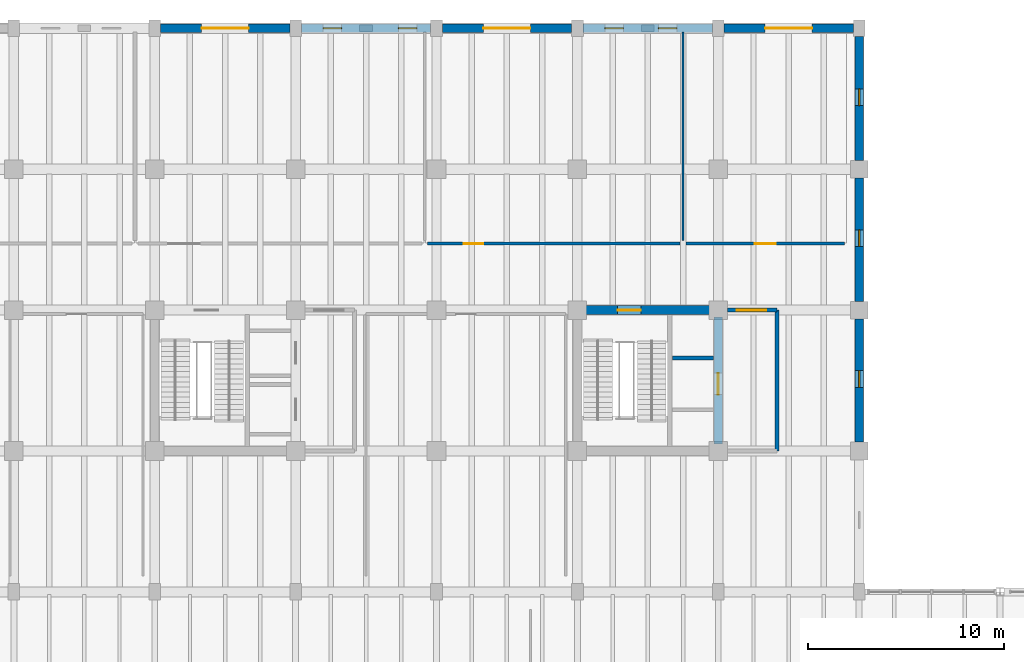
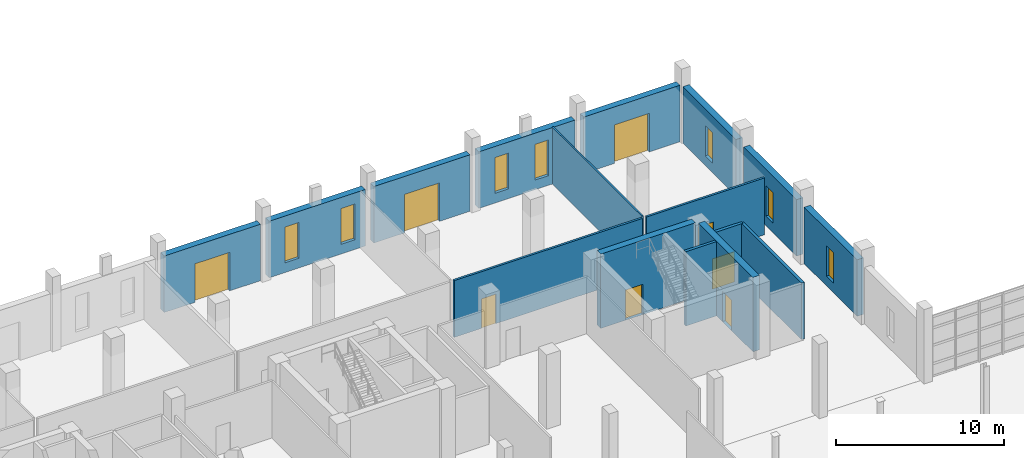
# One storey, part 69 of 79: 16 walls, 8 doors, 7 windows, 15 openings.
"""IFC4 building model written with IfcOpenShell, lengths in metres."""

from ifc_helpers import new_model, si_unit, direction, frame, frame_2d, origin, place, context, subcontext, project, spatial, rectangle, extrude, material, layer, layer_set, type_object, element, fill, save


model = new_model("IFC4")

# Units and contexts
model_context = context("Model", 3, precision=1e-05, world=origin(), true_north=direction((0.0, 1.0)))
body_context = subcontext(model_context, "Body", "Model", "MODEL_VIEW")
ifc_project = project(units=[si_unit("LENGTHUNIT", "METRE"), si_unit("AREAUNIT", "SQUARE_METRE"), si_unit("VOLUMEUNIT", "CUBIC_METRE"), si_unit("PLANEANGLEUNIT", "RADIAN"), si_unit("MASSUNIT", "GRAM", prefix="KILO")], contexts=[model_context])

# Site, building, storey
site_placement = place(None, origin())
site = spatial("IfcSite", under=ifc_project, at=site_placement, CompositionType="ELEMENT")
building_placement = place(site_placement, origin())
building = spatial("IfcBuilding", under=site, at=building_placement, Name="Qiaolan Assembly House", CompositionType="ELEMENT")
storey_placement = place(building_placement, origin())
storey = spatial("IfcBuildingStorey", under=building, at=storey_placement, Name="L00", CompositionType="ELEMENT", Elevation=0.0)

# Wall, opening, door
ifc_material_1 = material(Name="Concrete C50/60", Category="concrete")
ifc_layer_1 = layer(ifc_material_1, 0.449951171875)
ifc_layer_set_1 = layer_set([ifc_layer_1], Name="Concrete C50/60")
wall_type_1 = type_object("IfcWallType", Name="WAL-CORE-450", PredefinedType="SHEAR", material=ifc_layer_set_1)
wall_1_placement = place(storey_placement, frame((93.60009765625, 93.949951171875, 0.0), z_axis=(0.0, 0.0, 1.0), x_axis=(0.0, 1.0, 0.0)))
wall_1 = element("IfcWall", 1, at=wall_1_placement, inside=storey, type_object=wall_type_1, Name="CW-450 shear core wall CORE-G E L00", PredefinedType="SHEAR", context=body_context, shape_type="SweptSolid", body=[
    extrude(rectangle(XDim=6.5, YDim=0.449951171875, at=frame_2d((3.25, 0.0))), origin(), (0.0, 0.0, 1.0), 5.39990234375),
])
opening_1_placement = place(wall_1_placement, frame((2.52490234375, 0.0, 0.0)))
opening_1 = element("IfcOpeningElement", 2, at=opening_1_placement, cuts=wall_1, Name="Opening LD-038", PredefinedType="OPENING", context=body_context, shape_type="SweptSolid", body=[
    extrude(rectangle(XDim=1.10009765625, YDim=2.199951171875, at=frame_2d((0.550048828125, 1.10009765625))), frame((0.0, 0.23486328125, 0.0), z_axis=(0.0, -1.0, 0.0), x_axis=(1.0, 0.0, 0.0)), (0.0, 0.0, 1.0), 0.469970703125),
])
ifc_material_2 = material(Name="Anodised bronze aluminium", Category="aluminium")
door_type_1 = type_object("IfcDoorType", Name="DOR-LIFT-LD1100", OperationType="SLIDING_TO_LEFT", PredefinedType="DOOR", material=ifc_material_2)
door_1_placement = place(opening_1_placement, origin())
door_1 = element("IfcDoor", 3, at=door_1_placement, inside=storey, type_object=door_type_1, Name="Lift landing door LD-038 (LF-05 L00)", OperationType="SLIDING_TO_LEFT", OverallHeight=2.199951171875, OverallWidth=1.10009765625, PredefinedType="DOOR", context=body_context, shape_type="SweptSolid", body=[
    extrude(rectangle(XDim=1.10009765625, YDim=2.199951171875, at=frame_2d((0.550048828125, 1.10009765625))), frame((0.0, 0.02490234375, 0.0), z_axis=(0.0, -1.0, 0.0), x_axis=(1.0, 0.0, 0.0)), (0.0, 0.0, 1.0), 0.050048828125),
])
fill(opening_1, door_1)

wall_2_placement = place(storey_placement, frame((93.25, 100.800048828125, 0.0), z_axis=(0.0, 0.0, 1.0), x_axis=(-1.0, 0.0, 0.0)))
wall_2 = element("IfcWall", 4, at=wall_2_placement, inside=storey, type_object=wall_type_1, Name="CW-450 shear core wall CORE-G N L00", PredefinedType="SHEAR", context=body_context, shape_type="SweptSolid", body=[
    extrude(rectangle(XDim=6.5, YDim=0.449951171875, at=frame_2d((3.25, 0.0))), origin(), (0.0, 0.0, 1.0), 5.39990234375),
])
opening_2_placement = place(wall_2_placement, frame((3.60009765625, 0.0, 0.0)))
opening_2 = element("IfcOpeningElement", 5, at=opening_2_placement, cuts=wall_2, Name="Opening FD-055", PredefinedType="OPENING", context=body_context, shape_type="SweptSolid", body=[
    extrude(rectangle(XDim=1.199951171875, YDim=2.199951171875, at=frame_2d((0.60009765625, 1.10009765625))), frame((0.0, 0.23486328125, 0.0), z_axis=(0.0, -1.0, 0.0), x_axis=(1.0, 0.0, 0.0)), (0.0, 0.0, 1.0), 0.469970703125),
])
ifc_material_3 = material(Name="Steel Q355B", Category="steel")
door_type_2 = type_object("IfcDoorType", Name="DOR-FIRE-FD90-1200", OperationType="NOTDEFINED", PredefinedType="DOOR", material=ifc_material_3)
door_2_placement = place(opening_2_placement, frame((1.199951171875, 0.0, 0.0), z_axis=(0.0, 0.0, 1.0), x_axis=(-1.0, 0.0, 0.0)))
door_2 = element("IfcDoor", 6, at=door_2_placement, inside=storey, type_object=door_type_2, Name="Stairwell fire door FD-055 (CORE-G L00)", OperationType="SINGLE_SWING_LEFT", OverallHeight=2.199951171875, OverallWidth=1.199951171875, PredefinedType="DOOR", context=body_context, shape_type="SweptSolid", body=[
    extrude(rectangle(XDim=1.199951171875, YDim=2.199951171875, at=frame_2d((0.60009765625, 1.10009765625))), frame((0.0, 0.02490234375, 0.0), z_axis=(0.0, -1.0, 0.0), x_axis=(1.0, 0.0, 0.0)), (0.0, 0.0, 1.0), 0.050048828125),
])
fill(opening_2, door_2)

ifc_material_4 = material(Name="Honed pale limestone", Category="masonry")
ifc_layer_2 = layer(ifc_material_4, 0.43505859375)
ifc_layer_set_2 = layer_set([ifc_layer_2], Name="Honed pale limestone")
wall_type_2 = type_object("IfcWallType", Name="WAL-EXT-RUSTIC-420", PredefinedType="SOLIDWALL", material=ifc_layer_set_2)
wall_3_placement = place(storey_placement, frame((71.701904296875, 115.199951171875, 0.0), z_axis=(0.0, 0.0, 1.0), x_axis=(-1.0, 0.0, 0.0)))
wall_3 = element("IfcWall", 7, at=wall_3_placement, inside=storey, type_object=wall_type_2, Name="EW-420 NW North street wall L00 bay 5", PredefinedType="SOLIDWALL", context=body_context, shape_type="SweptSolid", body=[
    extrude(rectangle(XDim=6.60400390625, YDim=0.43505859375, at=frame_2d((3.302001953125, 0.0))), origin(), (0.0, 0.0, 1.0), 4.10009765625),
])
opening_3_placement = place(wall_3_placement, frame((2.10205078125, 0.0, 0.0)))
opening_3 = element("IfcOpeningElement", 8, at=opening_3_placement, cuts=wall_3, Name="Opening ED-003", PredefinedType="OPENING", context=body_context, shape_type="SweptSolid", body=[
    extrude(rectangle(XDim=2.39990234375, YDim=2.800048828125, at=frame_2d((1.199951171875, 1.39990234375))), frame((0.0, 0.2275390625, 0.0), z_axis=(0.0, -1.0, 0.0), x_axis=(1.0, 0.0, 0.0)), (0.0, 0.0, 1.0), 0.455078125),
])
door_type_3 = type_object("IfcDoorType", Name="DOR-ENTRY-MON-2400", OperationType="DOUBLE_DOOR_SINGLE_SWING", PredefinedType="DOOR", material=ifc_material_2)
door_3_placement = place(opening_3_placement, frame((2.39990234375, 0.0, 0.0), z_axis=(0.0, 0.0, 1.0), x_axis=(-1.0, 0.0, 0.0)))
door_3 = element("IfcDoor", 9, at=door_3_placement, inside=storey, type_object=door_type_3, Name="North Avenue civic entrance door ED-003", OperationType="DOUBLE_DOOR_SINGLE_SWING", OverallHeight=2.800048828125, OverallWidth=2.39990234375, PredefinedType="DOOR", context=body_context, shape_type="SweptSolid", body=[
    extrude(rectangle(XDim=2.39990234375, YDim=2.800048828125, at=frame_2d((1.199951171875, 1.39990234375))), frame((0.0, 0.02490234375, 0.0), z_axis=(0.0, -1.0, 0.0), x_axis=(1.0, 0.0, 0.0)), (0.0, 0.0, 1.0), 0.050048828125),
])
fill(opening_3, door_3)

# Wall, openings, windows
wall_4_placement = place(storey_placement, frame((78.902099609375, 115.199951171875, 0.0), z_axis=(0.0, 0.0, 1.0), x_axis=(-1.0, 0.0, 0.0)))
wall_4 = element("IfcWall", 10, at=wall_4_placement, inside=storey, type_object=wall_type_2, Name="EW-420 NW North street wall L00 bay 6", PredefinedType="SOLIDWALL", context=body_context, shape_type="SweptSolid", body=[
    extrude(rectangle(XDim=6.60400390625, YDim=0.43505859375, at=frame_2d((3.302001953125, 0.0))), origin(), (0.0, 0.0, 1.0), 4.10009765625),
])
opening_4_placement = place(wall_4_placement, frame((0.701904296875, 0.0, 0.699951171875)))
opening_4 = element("IfcOpeningElement", 11, at=opening_4_placement, cuts=wall_4, Name="Opening WN-005", PredefinedType="OPENING", context=body_context, shape_type="SweptSolid", body=[
    extrude(rectangle(XDim=0.949951171875, YDim=2.60009765625, at=frame_2d((0.47509765625, 1.300048828125))), frame((0.0, 0.2275390625, 0.0), z_axis=(0.0, -1.0, 0.0), x_axis=(1.0, 0.0, 0.0)), (0.0, 0.0, 1.0), 0.455078125),
])
opening_5_placement = place(wall_4_placement, frame((4.552001953125, 0.0, 0.699951171875)))
opening_5 = element("IfcOpeningElement", 12, at=opening_5_placement, cuts=wall_4, Name="Opening WN-006", PredefinedType="OPENING", context=body_context, shape_type="SweptSolid", body=[
    extrude(rectangle(XDim=0.949951171875, YDim=2.60009765625, at=frame_2d((0.47509765625, 1.300048828125))), frame((0.0, 0.2275390625, 0.0), z_axis=(0.0, -1.0, 0.0), x_axis=(1.0, 0.0, 0.0)), (0.0, 0.0, 1.0), 0.455078125),
])
ifc_material_5 = material(Name="Low-E double insulating glass", Category="glass")
window_type_1 = type_object("IfcWindowType", Name="WIN-PUNCH-950x2600", PartitioningType="SINGLE_PANEL", PredefinedType="WINDOW", material=ifc_material_5)
window_1_placement = place(opening_4_placement, origin())
window_1 = element("IfcWindow", 13, at=window_1_placement, inside=storey, type_object=window_type_1, Name="WN-T03 window WN-005", OverallHeight=2.60009765625, OverallWidth=0.949951171875, PartitioningType="SINGLE_PANEL", PredefinedType="WINDOW", context=body_context, shape_type="SweptSolid", body=[
    extrude(rectangle(XDim=0.949951171875, YDim=2.60009765625, at=frame_2d((0.47509765625, 1.300048828125))), frame((0.0, 0.030029296875, 0.0), z_axis=(0.0, -1.0, 0.0), x_axis=(1.0, 0.0, 0.0)), (0.0, 0.0, 1.0), 0.06005859375),
])
fill(opening_4, window_1)
window_2_placement = place(opening_5_placement, origin())
window_2 = element("IfcWindow", 14, at=window_2_placement, inside=storey, type_object=window_type_1, Name="WN-T03 window WN-006", OverallHeight=2.60009765625, OverallWidth=0.949951171875, PartitioningType="SINGLE_PANEL", PredefinedType="WINDOW", context=body_context, shape_type="SweptSolid", body=[
    extrude(rectangle(XDim=0.949951171875, YDim=2.60009765625, at=frame_2d((0.47509765625, 1.300048828125))), frame((0.0, 0.030029296875, 0.0), z_axis=(0.0, -1.0, 0.0), x_axis=(1.0, 0.0, 0.0)), (0.0, 0.0, 1.0), 0.06005859375),
])
fill(opening_5, window_2)

# Wall, opening, door
wall_5_placement = place(storey_placement, frame((86.10205078125, 115.199951171875, 0.0), z_axis=(0.0, 0.0, 1.0), x_axis=(-1.0, 0.0, 0.0)))
wall_5 = element("IfcWall", 15, at=wall_5_placement, inside=storey, type_object=wall_type_2, Name="EW-420 NW North street wall L00 bay 7", PredefinedType="SOLIDWALL", context=body_context, shape_type="SweptSolid", body=[
    extrude(rectangle(XDim=6.60400390625, YDim=0.43505859375, at=frame_2d((3.302001953125, 0.0))), origin(), (0.0, 0.0, 1.0), 4.10009765625),
])
opening_6_placement = place(wall_5_placement, frame((2.10205078125, 0.0, 0.0)))
opening_6 = element("IfcOpeningElement", 16, at=opening_6_placement, cuts=wall_5, Name="Opening ED-004", PredefinedType="OPENING", context=body_context, shape_type="SweptSolid", body=[
    extrude(rectangle(XDim=2.39990234375, YDim=2.800048828125, at=frame_2d((1.199951171875, 1.39990234375))), frame((0.0, 0.2275390625, 0.0), z_axis=(0.0, -1.0, 0.0), x_axis=(1.0, 0.0, 0.0)), (0.0, 0.0, 1.0), 0.455078125),
])
door_4_placement = place(opening_6_placement, frame((2.39990234375, 0.0, 0.0), z_axis=(0.0, 0.0, 1.0), x_axis=(-1.0, 0.0, 0.0)))
door_4 = element("IfcDoor", 17, at=door_4_placement, inside=storey, type_object=door_type_3, Name="North Avenue civic entrance door ED-004", OperationType="DOUBLE_DOOR_SINGLE_SWING", OverallHeight=2.800048828125, OverallWidth=2.39990234375, PredefinedType="DOOR", context=body_context, shape_type="SweptSolid", body=[
    extrude(rectangle(XDim=2.39990234375, YDim=2.800048828125, at=frame_2d((1.199951171875, 1.39990234375))), frame((0.0, 0.02490234375, 0.0), z_axis=(0.0, -1.0, 0.0), x_axis=(1.0, 0.0, 0.0)), (0.0, 0.0, 1.0), 0.050048828125),
])
fill(opening_6, door_4)

# Wall, openings, windows
wall_6_placement = place(storey_placement, frame((93.302001953125, 115.199951171875, 0.0), z_axis=(0.0, 0.0, 1.0), x_axis=(-1.0, 0.0, 0.0)))
wall_6 = element("IfcWall", 18, at=wall_6_placement, inside=storey, type_object=wall_type_2, Name="EW-420 NW North street wall L00 bay 8", PredefinedType="SOLIDWALL", context=body_context, shape_type="SweptSolid", body=[
    extrude(rectangle(XDim=6.60400390625, YDim=0.43505859375, at=frame_2d((3.302001953125, 0.0))), origin(), (0.0, 0.0, 1.0), 4.10009765625),
])
opening_7_placement = place(wall_6_placement, frame((1.814453125, 0.0, 0.699951171875)))
opening_7 = element("IfcOpeningElement", 19, at=opening_7_placement, cuts=wall_6, Name="Opening WN-007", PredefinedType="OPENING", context=body_context, shape_type="SweptSolid", body=[
    extrude(rectangle(XDim=0.949951171875, YDim=2.60009765625, at=frame_2d((0.47509765625, 1.300048828125))), frame((0.0, 0.2275390625, 0.0), z_axis=(0.0, -1.0, 0.0), x_axis=(1.0, 0.0, 0.0)), (0.0, 0.0, 1.0), 0.455078125),
])
opening_8_placement = place(wall_6_placement, frame((4.552001953125, 0.0, 0.699951171875)))
opening_8 = element("IfcOpeningElement", 20, at=opening_8_placement, cuts=wall_6, Name="Opening WN-008", PredefinedType="OPENING", context=body_context, shape_type="SweptSolid", body=[
    extrude(rectangle(XDim=0.949951171875, YDim=2.60009765625, at=frame_2d((0.47509765625, 1.300048828125))), frame((0.0, 0.2275390625, 0.0), z_axis=(0.0, -1.0, 0.0), x_axis=(1.0, 0.0, 0.0)), (0.0, 0.0, 1.0), 0.455078125),
])
window_3_placement = place(opening_7_placement, origin())
window_3 = element("IfcWindow", 21, at=window_3_placement, inside=storey, type_object=window_type_1, Name="WN-T03 window WN-007", OverallHeight=2.60009765625, OverallWidth=0.949951171875, PartitioningType="SINGLE_PANEL", PredefinedType="WINDOW", context=body_context, shape_type="SweptSolid", body=[
    extrude(rectangle(XDim=0.949951171875, YDim=2.60009765625, at=frame_2d((0.47509765625, 1.300048828125))), frame((0.0, 0.030029296875, 0.0), z_axis=(0.0, -1.0, 0.0), x_axis=(1.0, 0.0, 0.0)), (0.0, 0.0, 1.0), 0.06005859375),
])
fill(opening_7, window_3)
window_4_placement = place(opening_8_placement, origin())
window_4 = element("IfcWindow", 22, at=window_4_placement, inside=storey, type_object=window_type_1, Name="WN-T03 window WN-008", OverallHeight=2.60009765625, OverallWidth=0.949951171875, PartitioningType="SINGLE_PANEL", PredefinedType="WINDOW", context=body_context, shape_type="SweptSolid", body=[
    extrude(rectangle(XDim=0.949951171875, YDim=2.60009765625, at=frame_2d((0.47509765625, 1.300048828125))), frame((0.0, 0.030029296875, 0.0), z_axis=(0.0, -1.0, 0.0), x_axis=(1.0, 0.0, 0.0)), (0.0, 0.0, 1.0), 0.06005859375),
])
fill(opening_8, window_4)

# Wall, opening, door
wall_7_placement = place(storey_placement, frame((100.501953125, 115.199951171875, 0.0), z_axis=(0.0, 0.0, 1.0), x_axis=(-1.0, 0.0, 0.0)))
wall_7 = element("IfcWall", 23, at=wall_7_placement, inside=storey, type_object=wall_type_2, Name="EW-420 NW North street wall L00 bay 9", PredefinedType="SOLIDWALL", context=body_context, shape_type="SweptSolid", body=[
    extrude(rectangle(XDim=6.60400390625, YDim=0.43505859375, at=frame_2d((3.302001953125, 0.0))), origin(), (0.0, 0.0, 1.0), 4.10009765625),
])
opening_9_placement = place(wall_7_placement, frame((2.10205078125, 0.0, 0.0)))
opening_9 = element("IfcOpeningElement", 24, at=opening_9_placement, cuts=wall_7, Name="Opening ED-005", PredefinedType="OPENING", context=body_context, shape_type="SweptSolid", body=[
    extrude(rectangle(XDim=2.39990234375, YDim=2.800048828125, at=frame_2d((1.199951171875, 1.39990234375))), frame((0.0, 0.2275390625, 0.0), z_axis=(0.0, -1.0, 0.0), x_axis=(1.0, 0.0, 0.0)), (0.0, 0.0, 1.0), 0.455078125),
])
door_5_placement = place(opening_9_placement, frame((2.39990234375, 0.0, 0.0), z_axis=(0.0, 0.0, 1.0), x_axis=(-1.0, 0.0, 0.0)))
door_5 = element("IfcDoor", 25, at=door_5_placement, inside=storey, type_object=door_type_3, Name="North Avenue civic entrance door ED-005", OperationType="DOUBLE_DOOR_SINGLE_SWING", OverallHeight=2.800048828125, OverallWidth=2.39990234375, PredefinedType="DOOR", context=body_context, shape_type="SweptSolid", body=[
    extrude(rectangle(XDim=2.39990234375, YDim=2.800048828125, at=frame_2d((1.199951171875, 1.39990234375))), frame((0.0, 0.02490234375, 0.0), z_axis=(0.0, -1.0, 0.0), x_axis=(1.0, 0.0, 0.0)), (0.0, 0.0, 1.0), 0.050048828125),
])
fill(opening_9, door_5)

# Wall, opening, window
wall_8_placement = place(storey_placement, frame((100.800048828125, 100.35205078125, 0.0), z_axis=(0.0, 0.0, 1.0), x_axis=(0.0, -1.0, 0.0)))
wall_8 = element("IfcWall", 26, at=wall_8_placement, inside=storey, type_object=wall_type_2, Name="NW East wall L00-2", PredefinedType="SOLIDWALL", context=body_context, shape_type="SweptSolid", body=[
    extrude(rectangle(XDim=6.303955078125, YDim=0.43505859375, at=frame_2d((3.15185546875, 0.0))), origin(), (0.0, 0.0, 1.0), 4.10009765625),
])
opening_10_placement = place(wall_8_placement, frame((2.652099609375, 0.0, 0.699951171875)))
opening_10 = element("IfcOpeningElement", 27, at=opening_10_placement, cuts=wall_8, Name="Opening WN-012", PredefinedType="OPENING", context=body_context, shape_type="SweptSolid", body=[
    extrude(rectangle(XDim=0.85009765625, YDim=2.199951171875, at=frame_2d((0.425048828125, 1.10009765625))), frame((0.0, 0.2275390625, 0.0), z_axis=(0.0, -1.0, 0.0), x_axis=(1.0, 0.0, 0.0)), (0.0, 0.0, 1.0), 0.455078125),
])
window_type_2 = type_object("IfcWindowType", Name="WIN-END-850x2200", PartitioningType="SINGLE_PANEL", PredefinedType="WINDOW", material=ifc_material_5)
window_5_placement = place(opening_10_placement, origin())
window_5 = element("IfcWindow", 28, at=window_5_placement, inside=storey, type_object=window_type_2, Name="NW East window WN-012", OverallHeight=2.199951171875, OverallWidth=0.85009765625, PartitioningType="SINGLE_PANEL", PredefinedType="WINDOW", context=body_context, shape_type="SweptSolid", body=[
    extrude(rectangle(XDim=0.85009765625, YDim=2.199951171875, at=frame_2d((0.425048828125, 1.10009765625))), frame((0.0, 0.030029296875, 0.0), z_axis=(0.0, -1.0, 0.0), x_axis=(1.0, 0.0, 0.0)), (0.0, 0.0, 1.0), 0.06005859375),
])
fill(opening_10, window_5)

wall_9_placement = place(storey_placement, frame((100.800048828125, 107.552001953125, 0.0), z_axis=(0.0, 0.0, 1.0), x_axis=(0.0, -1.0, 0.0)))
wall_9 = element("IfcWall", 29, at=wall_9_placement, inside=storey, type_object=wall_type_2, Name="NW East wall L00-3", PredefinedType="SOLIDWALL", context=body_context, shape_type="SweptSolid", body=[
    extrude(rectangle(XDim=6.303955078125, YDim=0.43505859375, at=frame_2d((3.15185546875, 0.0))), origin(), (0.0, 0.0, 1.0), 4.10009765625),
])
opening_11_placement = place(wall_9_placement, frame((2.652099609375, 0.0, 0.699951171875)))
opening_11 = element("IfcOpeningElement", 30, at=opening_11_placement, cuts=wall_9, Name="Opening WN-013", PredefinedType="OPENING", context=body_context, shape_type="SweptSolid", body=[
    extrude(rectangle(XDim=0.85009765625, YDim=2.199951171875, at=frame_2d((0.425048828125, 1.10009765625))), frame((0.0, 0.2275390625, 0.0), z_axis=(0.0, -1.0, 0.0), x_axis=(1.0, 0.0, 0.0)), (0.0, 0.0, 1.0), 0.455078125),
])
window_6_placement = place(opening_11_placement, origin())
window_6 = element("IfcWindow", 31, at=window_6_placement, inside=storey, type_object=window_type_2, Name="NW East window WN-013", OverallHeight=2.199951171875, OverallWidth=0.85009765625, PartitioningType="SINGLE_PANEL", PredefinedType="WINDOW", context=body_context, shape_type="SweptSolid", body=[
    extrude(rectangle(XDim=0.85009765625, YDim=2.199951171875, at=frame_2d((0.425048828125, 1.10009765625))), frame((0.0, 0.030029296875, 0.0), z_axis=(0.0, -1.0, 0.0), x_axis=(1.0, 0.0, 0.0)), (0.0, 0.0, 1.0), 0.06005859375),
])
fill(opening_11, window_6)

wall_10_placement = place(storey_placement, frame((100.800048828125, 114.777099609375, 0.0), z_axis=(0.0, 0.0, 1.0), x_axis=(0.0, -1.0, 0.0)))
wall_10 = element("IfcWall", 32, at=wall_10_placement, inside=storey, type_object=wall_type_2, Name="NW East wall L00-4", PredefinedType="SOLIDWALL", context=body_context, shape_type="SweptSolid", body=[
    extrude(rectangle(XDim=6.3291015625, YDim=0.43505859375, at=frame_2d((3.16455078125, 0.0))), origin(), (0.0, 0.0, 1.0), 4.10009765625),
])
opening_12_placement = place(wall_10_placement, frame((2.677001953125, 0.0, 0.699951171875)))
opening_12 = element("IfcOpeningElement", 33, at=opening_12_placement, cuts=wall_10, Name="Opening WN-015", PredefinedType="OPENING", context=body_context, shape_type="SweptSolid", body=[
    extrude(rectangle(XDim=0.85009765625, YDim=2.199951171875, at=frame_2d((0.425048828125, 1.10009765625))), frame((0.0, 0.2275390625, 0.0), z_axis=(0.0, -1.0, 0.0), x_axis=(1.0, 0.0, 0.0)), (0.0, 0.0, 1.0), 0.455078125),
])
window_7_placement = place(opening_12_placement, origin())
window_7 = element("IfcWindow", 34, at=window_7_placement, inside=storey, type_object=window_type_2, Name="NW East window WN-015", OverallHeight=2.199951171875, OverallWidth=0.85009765625, PartitioningType="SINGLE_PANEL", PredefinedType="WINDOW", context=body_context, shape_type="SweptSolid", body=[
    extrude(rectangle(XDim=0.85009765625, YDim=2.199951171875, at=frame_2d((0.425048828125, 1.10009765625))), frame((0.0, 0.030029296875, 0.0), z_axis=(0.0, -1.0, 0.0), x_axis=(1.0, 0.0, 0.0)), (0.0, 0.0, 1.0), 0.06005859375),
])
fill(opening_12, window_7)

# Wall
ifc_material_6 = material(Name="Concrete C35/45", Category="concrete")
ifc_layer_3 = layer(ifc_material_6, 0.199951171875)
ifc_layer_set_3 = layer_set([ifc_layer_3], Name="Concrete C35/45")
wall_type_3 = type_object("IfcWallType", Name="WAL-LOBBY-200", PredefinedType="PARTITIONING", material=ifc_layer_set_3)
wall_11_placement = place(storey_placement, frame((96.60009765625, 93.60009765625, 0.0), z_axis=(0.0, 0.0, 1.0), x_axis=(0.0, 1.0, 0.0)))
element("IfcWall", 35, at=wall_11_placement, inside=storey, type_object=wall_type_3, Name="Firefighting lift lobby east wall CORE-G L00", PredefinedType="PARTITIONING", context=body_context, shape_type="SweptSolid", body=[
    extrude(rectangle(XDim=7.199951171875, YDim=0.199951171875, at=frame_2d((3.60009765625, 0.0))), origin(), (0.0, 0.0, 1.0), 4.1201171875),
])

# Wall, opening, door
wall_12_placement = place(storey_placement, frame((96.60009765625, 100.800048828125, 0.0), z_axis=(0.0, 0.0, 1.0), x_axis=(-1.0, 0.0, 0.0)))
wall_12 = element("IfcWall", 36, at=wall_12_placement, inside=storey, type_object=wall_type_3, Name="Firefighting lift lobby north wall CORE-G L00", PredefinedType="PARTITIONING", context=body_context, shape_type="SweptSolid", body=[
    extrude(rectangle(XDim=2.52001953125, YDim=0.199951171875, at=frame_2d((1.260009765625, 0.0))), origin(), (0.0, 0.0, 1.0), 4.1201171875),
])
opening_13_placement = place(wall_12_placement, frame((0.550048828125, 0.0, 0.0)))
opening_13 = element("IfcOpeningElement", 37, at=opening_13_placement, cuts=wall_12, Name="Opening FD-056", PredefinedType="OPENING", context=body_context, shape_type="SweptSolid", body=[
    extrude(rectangle(XDim=1.5, YDim=2.199951171875, at=frame_2d((0.75, 1.10009765625))), frame((0.0, 0.10986328125, 0.0), z_axis=(0.0, -1.0, 0.0), x_axis=(1.0, 0.0, 0.0)), (0.0, 0.0, 1.0), 0.219970703125),
])
ifc_material_7 = material(Name="Acoustic oak panelling")
door_type_4 = type_object("IfcDoorType", Name="DOR-LOBBY-FD60-1500", OperationType="DOUBLE_DOOR_SINGLE_SWING", PredefinedType="DOOR", material=ifc_material_7)
door_6_placement = place(opening_13_placement, frame((1.5, 0.0, 0.0), z_axis=(0.0, 0.0, 1.0), x_axis=(-1.0, 0.0, 0.0)))
door_6 = element("IfcDoor", 38, at=door_6_placement, inside=storey, type_object=door_type_4, Name="Lobby corridor fire door FD-056", OperationType="DOUBLE_DOOR_SINGLE_SWING", OverallHeight=2.199951171875, OverallWidth=1.5, PredefinedType="DOOR", context=body_context, shape_type="SweptSolid", body=[
    extrude(rectangle(XDim=1.5, YDim=2.199951171875, at=frame_2d((0.75, 1.10009765625))), frame((0.0, 0.02490234375, 0.0), z_axis=(0.0, -1.0, 0.0), x_axis=(1.0, 0.0, 0.0)), (0.0, 0.0, 1.0), 0.050048828125),
])
fill(opening_13, door_6)

# Wall
ifc_material_8 = material(Name="Gypsum plasterboard partition")
ifc_layer_4 = layer(ifc_material_8, 0.1201171875)
ifc_layer_set_4 = layer_set([ifc_layer_4], Name="Gypsum plasterboard partition")
wall_type_4 = type_object("IfcWallType", Name="WAL-PART-120", PredefinedType="PARTITIONING", material=ifc_layer_set_4)
wall_13_placement = place(storey_placement, frame((91.800048828125, 104.35009765625, 0.0), z_axis=(0.0, 0.0, 1.0), x_axis=(0.0, 1.0, 0.0)))
element("IfcWall", 39, at=wall_13_placement, inside=storey, type_object=wall_type_4, Name="Staff First-Aid & Duty Clinic demising wall", PredefinedType="PARTITIONING", context=body_context, shape_type="SweptSolid", body=[
    extrude(rectangle(XDim=10.669921875, YDim=0.1201171875, at=frame_2d((5.3349609375, 0.0))), origin(), (0.0, 0.0, 1.0), 4.1201171875),
])

# Wall, opening, door
ifc_layer_5 = layer(ifc_material_8, 0.14990234375)
ifc_layer_set_5 = layer_set([ifc_layer_5], Name="Gypsum plasterboard partition")
wall_type_5 = type_object("IfcWallType", Name="WAL-PART-150", PredefinedType="PARTITIONING", material=ifc_layer_set_5)
wall_14_placement = place(storey_placement, frame((78.75, 104.199951171875, 0.0), z_axis=(0.0, 0.0, 1.0), x_axis=(1.0, 0.0, 0.0)))
wall_14 = element("IfcWall", 40, at=wall_14_placement, inside=storey, type_object=wall_type_5, Name="Public Printing, Records & Permits Counter corridor wall", PredefinedType="PARTITIONING", context=body_context, shape_type="SweptSolid", body=[
    extrude(rectangle(XDim=12.89990234375, YDim=0.14990234375, at=frame_2d((6.449951171875, 0.0))), origin(), (0.0, 0.0, 1.0), 4.1201171875),
])
opening_14_placement = place(wall_14_placement, frame((1.85009765625, 0.0, 0.0)))
opening_14 = element("IfcOpeningElement", 41, at=opening_14_placement, cuts=wall_14, Name="Opening ND-178", PredefinedType="OPENING", context=body_context, shape_type="SweptSolid", body=[
    extrude(rectangle(XDim=1.0, YDim=2.14990234375, at=frame_2d((0.5, 1.074951171875))), frame((0.0, 0.0849609375, 0.0), z_axis=(0.0, -1.0, 0.0), x_axis=(1.0, 0.0, 0.0)), (0.0, 0.0, 1.0), 0.169921875),
])
door_type_5 = type_object("IfcDoorType", Name="DOR-OFF-SGL-1000", OperationType="NOTDEFINED", PredefinedType="DOOR", material=ifc_material_7)
door_7_placement = place(opening_14_placement, origin())
door_7 = element("IfcDoor", 42, at=door_7_placement, inside=storey, type_object=door_type_5, Name="Public Printing, Records & Permits Counter door ND-178", OperationType="SINGLE_SWING_RIGHT", OverallHeight=2.14990234375, OverallWidth=1.0, PredefinedType="DOOR", context=body_context, shape_type="SweptSolid", body=[
    extrude(rectangle(XDim=1.0, YDim=2.14990234375, at=frame_2d((0.5, 1.074951171875))), frame((0.0, 0.02490234375, 0.0), z_axis=(0.0, -1.0, 0.0), x_axis=(1.0, 0.0, 0.0)), (0.0, 0.0, 1.0), 0.050048828125),
])
fill(opening_14, door_7)

wall_15_placement = place(storey_placement, frame((91.949951171875, 104.199951171875, 0.0), z_axis=(0.0, 0.0, 1.0), x_axis=(1.0, 0.0, 0.0)))
wall_15 = element("IfcWall", 43, at=wall_15_placement, inside=storey, type_object=wall_type_5, Name="Staff First-Aid & Duty Clinic corridor wall", PredefinedType="PARTITIONING", context=body_context, shape_type="SweptSolid", body=[
    extrude(rectangle(XDim=8.10009765625, YDim=0.14990234375, at=frame_2d((4.050048828125, 0.0))), origin(), (0.0, 0.0, 1.0), 4.1201171875),
])
opening_15_placement = place(wall_15_placement, frame((3.52490234375, 0.0, 0.0)))
opening_15 = element("IfcOpeningElement", 44, at=opening_15_placement, cuts=wall_15, Name="Opening ND-179", PredefinedType="OPENING", context=body_context, shape_type="SweptSolid", body=[
    extrude(rectangle(XDim=1.050048828125, YDim=2.14990234375, at=frame_2d((0.52490234375, 1.074951171875))), frame((0.0, 0.0849609375, 0.0), z_axis=(0.0, -1.0, 0.0), x_axis=(1.0, 0.0, 0.0)), (0.0, 0.0, 1.0), 0.169921875),
])
door_type_6 = type_object("IfcDoorType", Name="DOR-OFF-LRG-1050", OperationType="NOTDEFINED", PredefinedType="DOOR", material=ifc_material_7)
door_8_placement = place(opening_15_placement, origin())
door_8 = element("IfcDoor", 45, at=door_8_placement, inside=storey, type_object=door_type_6, Name="Staff First-Aid & Duty Clinic door ND-179", OperationType="SINGLE_SWING_LEFT", OverallHeight=2.14990234375, OverallWidth=1.050048828125, PredefinedType="DOOR", context=body_context, shape_type="SweptSolid", body=[
    extrude(rectangle(XDim=1.050048828125, YDim=2.14990234375, at=frame_2d((0.52490234375, 1.074951171875))), frame((0.0, 0.02490234375, 0.0), z_axis=(0.0, -1.0, 0.0), x_axis=(1.0, 0.0, 0.0)), (0.0, 0.0, 1.0), 0.050048828125),
])
fill(opening_15, door_8)

# Wall
ifc_layer_6 = layer(ifc_material_6, 0.18505859375)
ifc_layer_set_6 = layer_set([ifc_layer_6], Name="Concrete C35/45")
wall_type_6 = type_object("IfcWallType", Name="WAL-SHAFT-200", PredefinedType="PARTITIONING", material=ifc_layer_set_6)
wall_16_placement = place(storey_placement, frame((91.25, 98.35009765625, 0.0), z_axis=(0.0, 0.0, 1.0), x_axis=(1.0, 0.0, 0.0)))
element("IfcWall", 46, at=wall_16_placement, inside=storey, type_object=wall_type_6, Name="SW-200 lift shaft wall LF-05 L00 DIVN", PredefinedType="PARTITIONING", context=body_context, shape_type="SweptSolid", body=[
    extrude(rectangle(XDim=2.10009765625, YDim=0.18505859375, at=frame_2d((1.050048828125, 0.0))), origin(), (0.0, 0.0, 1.0), 5.39990234375),
])

save(model, "model.ifc")
